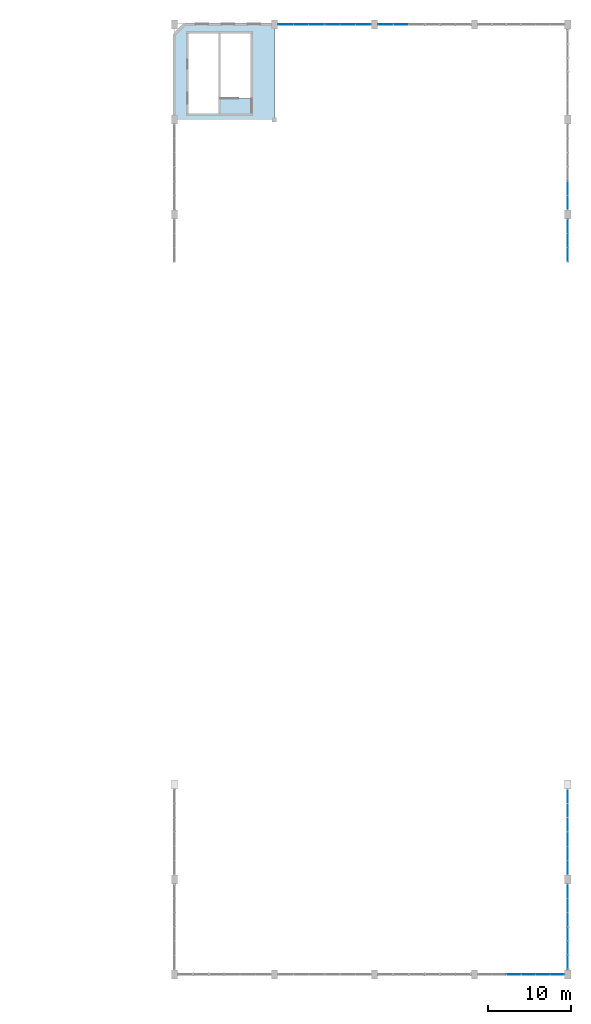
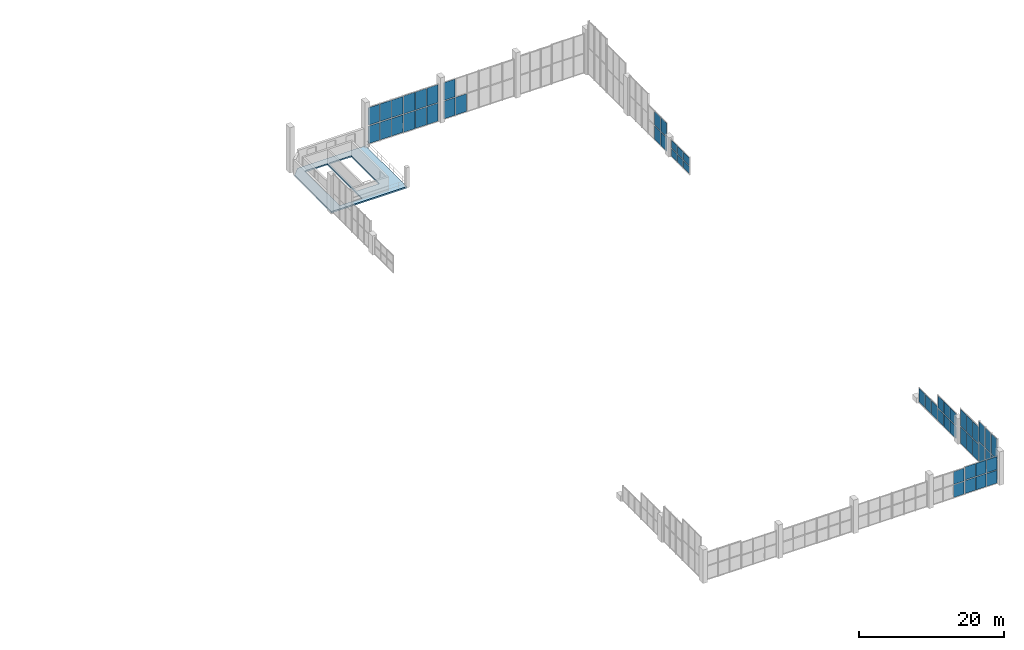
# One storey, part 21 of 28: 54 plates, 1 slab, 11 elements without a shape of their own.
"""IFC4 building model written with IfcOpenShell, lengths in metres."""

from ifc_helpers import new_model, si_unit, direction, frame, origin, origin_2d, place, context, subcontext, project, spatial, polyline, rectangle, outline, extrude, material, layer, layer_set, type_object, element, aggregate, save


model = new_model("IFC4")

# Units and contexts
model_context = context("Model", 3, precision=1e-05, world=origin(), true_north=direction((0.0, 1.0)))
body_context = subcontext(model_context, "Body", "Model", "MODEL_VIEW")
ifc_project = project(units=[si_unit("LENGTHUNIT", "METRE"), si_unit("AREAUNIT", "SQUARE_METRE"), si_unit("VOLUMEUNIT", "CUBIC_METRE"), si_unit("PLANEANGLEUNIT", "RADIAN"), si_unit("MASSUNIT", "GRAM", prefix="KILO"), si_unit("POWERUNIT", "WATT"), si_unit("THERMODYNAMICTEMPERATUREUNIT", "KELVIN")], contexts=[model_context])

# Site, building, storey
site_placement = place(None, origin())
site = spatial("IfcSite", under=ifc_project, at=site_placement, CompositionType="ELEMENT")
building_placement = place(site_placement, origin())
building = spatial("IfcBuilding", under=site, at=building_placement, Name="Kelmbourne Parkland Aquatics Centre", CompositionType="ELEMENT")
storey_placement = place(building_placement, frame((0.0, 0.0, 19.199951171875)))
storey = spatial("IfcBuildingStorey", under=building, at=storey_placement, Name="L04", CompositionType="ELEMENT", Elevation=19.199951171875)

# Curtain wall, plates
ifc_material_1 = material(Name="Thermally broken anodised aluminium framing", Category="aluminium")
ifc_layer_1 = layer(ifc_material_1, 0.179931640625)
ifc_layer_set_1 = layer_set([ifc_layer_1], Name="Thermally broken anodised aluminium framing")
curtain_wall_type_1 = type_object("IfcCurtainWallType", Name="CW-04", PredefinedType="NOTDEFINED", material=ifc_layer_set_1)
curtain_wall_1_placement = place(storey_placement, origin())
curtain_wall_1 = element("IfcCurtainWall", 1, at=curtain_wall_1_placement, inside=storey, type_object=curtain_wall_type_1, Name="Wave-hall clerestory curtain wall CW-L04-004", PredefinedType="NOTDEFINED")
ifc_material_2 = material(Name="Double-glazed low-e laminated safety glass", Category="glass")
ifc_layer_2 = layer(ifc_material_2, 0.0419921875)
ifc_layer_set_2 = layer_set([ifc_layer_2], Name="Double-glazed low-e laminated safety glass")
plate_type_1 = type_object("IfcPlateType", Name="PL-CLR-1", PredefinedType="USERDEFINED", material=ifc_layer_set_2)
plate_1_placement = place(storey_placement, frame((175.199951171875, 2.2451171875, 3.60791015625), z_axis=(0.0, 0.0, 1.0), x_axis=(0.0, 1.0, 0.0)))
plate_1 = element("IfcPlate", 2, at=plate_1_placement, type_object=plate_type_1, Name="CW-L04-004 clerestory glazing 1-0", ObjectType="CLERESTORY GLAZING", PredefinedType="USERDEFINED", context=body_context, shape_type="SweptSolid", body=[
    extrude(rectangle(XDim=1.587890625, YDim=0.0419921875, at=origin_2d()), origin(), (0.0, 0.0, 1.0), 3.322998046875),
])
plate_2_placement = place(storey_placement, frame((175.199951171875, 3.926025390625, 3.60791015625), z_axis=(0.0, 0.0, 1.0), x_axis=(0.0, 1.0, 0.0)))
plate_2 = element("IfcPlate", 3, at=plate_2_placement, type_object=plate_type_1, Name="CW-L04-004 clerestory glazing 1-1", ObjectType="CLERESTORY GLAZING", PredefinedType="USERDEFINED", context=body_context, shape_type="SweptSolid", body=[
    extrude(rectangle(XDim=1.587890625, YDim=0.0419921875, at=origin_2d()), origin(), (0.0, 0.0, 1.0), 3.322998046875),
])
plate_3_placement = place(storey_placement, frame((175.199951171875, 5.60693359375, 3.60791015625), z_axis=(0.0, 0.0, 1.0), x_axis=(0.0, 1.0, 0.0)))
plate_3 = element("IfcPlate", 4, at=plate_3_placement, type_object=plate_type_1, Name="CW-L04-004 clerestory glazing 1-2", ObjectType="CLERESTORY GLAZING", PredefinedType="USERDEFINED", context=body_context, shape_type="SweptSolid", body=[
    extrude(rectangle(XDim=1.587890625, YDim=0.0419921875, at=origin_2d()), origin(), (0.0, 0.0, 1.0), 3.322998046875),
])

ifc_layer_3 = layer(ifc_material_1, 0.179931640625)
ifc_layer_set_3 = layer_set([ifc_layer_3], Name="Thermally broken anodised aluminium framing")
curtain_wall_type_2 = type_object("IfcCurtainWallType", Name="CW-11", PredefinedType="NOTDEFINED", material=ifc_layer_set_3)
curtain_wall_2_placement = place(storey_placement, origin())
curtain_wall_2 = element("IfcCurtainWall", 5, at=curtain_wall_2_placement, inside=storey, type_object=curtain_wall_type_2, Name="Wave-hall clerestory curtain wall CW-L04-011", PredefinedType="NOTDEFINED")
plate_4_placement = place(storey_placement, frame((175.199951171875, 7.383056640625, 3.128662109375), z_axis=(0.0, 0.0, 1.0), x_axis=(0.0, 1.0, 0.0)))
plate_4 = element("IfcPlate", 6, at=plate_4_placement, type_object=plate_type_1, Name="CW-L04-011 clerestory glazing 1-0", ObjectType="CLERESTORY GLAZING", PredefinedType="USERDEFINED", context=body_context, shape_type="SweptSolid", body=[
    extrude(rectangle(XDim=1.6279296875, YDim=0.0419921875, at=origin_2d()), origin(), (0.0, 0.0, 1.0), 2.78369140625),
])
plate_5_placement = place(storey_placement, frame((175.199951171875, 9.073974609375, 3.128662109375), z_axis=(0.0, 0.0, 1.0), x_axis=(0.0, 1.0, 0.0)))
plate_5 = element("IfcPlate", 7, at=plate_5_placement, type_object=plate_type_1, Name="CW-L04-011 clerestory glazing 1-1", ObjectType="CLERESTORY GLAZING", PredefinedType="USERDEFINED", context=body_context, shape_type="SweptSolid", body=[
    extrude(rectangle(XDim=1.6279296875, YDim=0.0419921875, at=origin_2d()), origin(), (0.0, 0.0, 1.0), 2.78369140625),
])
plate_6_placement = place(storey_placement, frame((175.199951171875, 10.764892578125, 3.128662109375), z_axis=(0.0, 0.0, 1.0), x_axis=(0.0, 1.0, 0.0)))
plate_6 = element("IfcPlate", 8, at=plate_6_placement, type_object=plate_type_1, Name="CW-L04-011 clerestory glazing 1-2", ObjectType="CLERESTORY GLAZING", PredefinedType="USERDEFINED", context=body_context, shape_type="SweptSolid", body=[
    extrude(rectangle(XDim=1.6279296875, YDim=0.0419921875, at=origin_2d()), origin(), (0.0, 0.0, 1.0), 2.78369140625),
])

ifc_layer_4 = layer(ifc_material_1, 0.179931640625)
ifc_layer_set_4 = layer_set([ifc_layer_4], Name="Thermally broken anodised aluminium framing")
curtain_wall_type_3 = type_object("IfcCurtainWallType", Name="CW-20", PredefinedType="NOTDEFINED", material=ifc_layer_set_4)
curtain_wall_3_placement = place(storey_placement, origin())
curtain_wall_3 = element("IfcCurtainWall", 9, at=curtain_wall_3_placement, inside=storey, type_object=curtain_wall_type_3, Name="Wave-hall clerestory curtain wall CW-L04-020", PredefinedType="NOTDEFINED")
plate_7_placement = place(storey_placement, frame((175.199951171875, 13.631591796875, 2.36669921875), z_axis=(0.0, 0.0, 1.0), x_axis=(0.0, 1.0, 0.0)))
plate_7 = element("IfcPlate", 10, at=plate_7_placement, type_object=plate_type_1, Name="CW-L04-020 clerestory glazing 1-0", ObjectType="CLERESTORY GLAZING", PredefinedType="USERDEFINED", context=body_context, shape_type="SweptSolid", body=[
    extrude(rectangle(XDim=1.641357421875, YDim=0.0419921875, at=origin_2d()), origin(), (0.0, 0.0, 1.0), 2.021728515625),
])
plate_8_placement = place(storey_placement, frame((175.199951171875, 15.325927734375, 2.36669921875), z_axis=(0.0, 0.0, 1.0), x_axis=(0.0, 1.0, 0.0)))
plate_8 = element("IfcPlate", 11, at=plate_8_placement, type_object=plate_type_1, Name="CW-L04-020 clerestory glazing 1-1", ObjectType="CLERESTORY GLAZING", PredefinedType="USERDEFINED", context=body_context, shape_type="SweptSolid", body=[
    extrude(rectangle(XDim=1.641357421875, YDim=0.0419921875, at=origin_2d()), origin(), (0.0, 0.0, 1.0), 2.021728515625),
])
plate_9_placement = place(storey_placement, frame((175.199951171875, 17.0205078125, 2.36669921875), z_axis=(0.0, 0.0, 1.0), x_axis=(0.0, 1.0, 0.0)))
plate_9 = element("IfcPlate", 12, at=plate_9_placement, type_object=plate_type_1, Name="CW-L04-020 clerestory glazing 1-2", ObjectType="CLERESTORY GLAZING", PredefinedType="USERDEFINED", context=body_context, shape_type="SweptSolid", body=[
    extrude(rectangle(XDim=1.641357421875, YDim=0.0419921875, at=origin_2d()), origin(), (0.0, 0.0, 1.0), 2.021728515625),
])

ifc_layer_5 = layer(ifc_material_1, 0.179931640625)
ifc_layer_set_5 = layer_set([ifc_layer_5], Name="Thermally broken anodised aluminium framing")
curtain_wall_type_4 = type_object("IfcCurtainWallType", Name="CW-02", PredefinedType="NOTDEFINED", material=ifc_layer_set_5)
curtain_wall_4_placement = place(storey_placement, origin())
curtain_wall_4 = element("IfcCurtainWall", 13, at=curtain_wall_4_placement, inside=storey, type_object=curtain_wall_type_4, Name="Wave-hall clerestory curtain wall CW-L04-026", PredefinedType="NOTDEFINED")
plate_10_placement = place(storey_placement, frame((175.199951171875, 18.782958984375, 0.17724609375), z_axis=(0.0, 0.0, 1.0), x_axis=(0.0, 1.0, 0.0)))
plate_10 = element("IfcPlate", 14, at=plate_10_placement, type_object=plate_type_1, Name="CW-L04-026 clerestory glazing 0-0", ObjectType="CLERESTORY GLAZING", PredefinedType="USERDEFINED", context=body_context, shape_type="SweptSolid", body=[
    extrude(rectangle(XDim=1.6279296875, YDim=0.0419921875, at=origin_2d()), origin(), (0.0, 0.0, 1.0), 2.323486328125),
])
plate_11_placement = place(storey_placement, frame((175.199951171875, 20.47412109375, 0.17724609375), z_axis=(0.0, 0.0, 1.0), x_axis=(0.0, 1.0, 0.0)))
plate_11 = element("IfcPlate", 15, at=plate_11_placement, type_object=plate_type_1, Name="CW-L04-026 clerestory glazing 0-1", ObjectType="CLERESTORY GLAZING", PredefinedType="USERDEFINED", context=body_context, shape_type="SweptSolid", body=[
    extrude(rectangle(XDim=1.6279296875, YDim=0.0419921875, at=origin_2d()), origin(), (0.0, 0.0, 1.0), 2.323486328125),
])
plate_12_placement = place(storey_placement, frame((175.199951171875, 22.1650390625, 0.17724609375), z_axis=(0.0, 0.0, 1.0), x_axis=(0.0, 1.0, 0.0)))
plate_12 = element("IfcPlate", 16, at=plate_12_placement, type_object=plate_type_1, Name="CW-L04-026 clerestory glazing 0-2", ObjectType="CLERESTORY GLAZING", PredefinedType="USERDEFINED", context=body_context, shape_type="SweptSolid", body=[
    extrude(rectangle(XDim=1.6279296875, YDim=0.0419921875, at=origin_2d()), origin(), (0.0, 0.0, 1.0), 2.323486328125),
])
aggregate(curtain_wall_4, [plate_10, plate_11, plate_12])

ifc_layer_6 = layer(ifc_material_1, 0.179931640625)
ifc_layer_set_6 = layer_set([ifc_layer_6], Name="Thermally broken anodised aluminium framing")
curtain_wall_type_5 = type_object("IfcCurtainWallType", Name="CW-05", PredefinedType="NOTDEFINED", material=ifc_layer_set_6)
curtain_wall_5_placement = place(storey_placement, origin())
curtain_wall_5 = element("IfcCurtainWall", 17, at=curtain_wall_5_placement, inside=storey, type_object=curtain_wall_type_5, Name="Wave-hall clerestory curtain wall CW-L04-077", PredefinedType="NOTDEFINED")
plate_13_placement = place(storey_placement, frame((175.199951171875, 87.186279296875, 1.591796875), z_axis=(0.0, 0.0, 1.0), x_axis=(0.0, 1.0, 0.0)))
plate_13 = element("IfcPlate", 18, at=plate_13_placement, type_object=plate_type_1, Name="CW-L04-077 clerestory glazing 1-0", ObjectType="CLERESTORY GLAZING", PredefinedType="USERDEFINED", context=body_context, shape_type="SweptSolid", body=[
    extrude(rectangle(XDim=1.61474609375, YDim=0.0419921875, at=origin_2d()), origin(), (0.0, 0.0, 1.0), 1.246826171875),
])
plate_14_placement = place(storey_placement, frame((175.199951171875, 88.8740234375, 1.591796875), z_axis=(0.0, 0.0, 1.0), x_axis=(0.0, 1.0, 0.0)))
plate_14 = element("IfcPlate", 19, at=plate_14_placement, type_object=plate_type_1, Name="CW-L04-077 clerestory glazing 1-1", ObjectType="CLERESTORY GLAZING", PredefinedType="USERDEFINED", context=body_context, shape_type="SweptSolid", body=[
    extrude(rectangle(XDim=1.614501953125, YDim=0.0419921875, at=origin_2d()), origin(), (0.0, 0.0, 1.0), 1.246826171875),
])
plate_15_placement = place(storey_placement, frame((175.199951171875, 90.561767578125, 1.591796875), z_axis=(0.0, 0.0, 1.0), x_axis=(0.0, 1.0, 0.0)))
plate_15 = element("IfcPlate", 20, at=plate_15_placement, type_object=plate_type_1, Name="CW-L04-077 clerestory glazing 1-2", ObjectType="CLERESTORY GLAZING", PredefinedType="USERDEFINED", context=body_context, shape_type="SweptSolid", body=[
    extrude(rectangle(XDim=1.61474609375, YDim=0.0419921875, at=origin_2d()), origin(), (0.0, 0.0, 1.0), 1.246826171875),
])

ifc_layer_7 = layer(ifc_material_1, 0.179931640625)
ifc_layer_set_7 = layer_set([ifc_layer_7], Name="Thermally broken anodised aluminium framing")
curtain_wall_type_6 = type_object("IfcCurtainWallType", Name="CW-14", PredefinedType="NOTDEFINED", material=ifc_layer_set_7)
curtain_wall_6_placement = place(storey_placement, origin())
curtain_wall_6 = element("IfcCurtainWall", 21, at=curtain_wall_6_placement, inside=storey, type_object=curtain_wall_type_6, Name="Wave-hall clerestory curtain wall CW-L04-086", PredefinedType="NOTDEFINED")
plate_16_placement = place(storey_placement, frame((175.199951171875, 93.43505859375, 2.6025390625), z_axis=(0.0, 0.0, 1.0), x_axis=(0.0, 1.0, 0.0)))
plate_16 = element("IfcPlate", 22, at=plate_16_placement, type_object=plate_type_1, Name="CW-L04-086 clerestory glazing 1-0", ObjectType="CLERESTORY GLAZING", PredefinedType="USERDEFINED", context=body_context, shape_type="SweptSolid", body=[
    extrude(rectangle(XDim=1.6279296875, YDim=0.0419921875, at=origin_2d()), origin(), (0.0, 0.0, 1.0), 2.257568359375),
])
plate_17_placement = place(storey_placement, frame((175.199951171875, 95.1259765625, 2.6025390625), z_axis=(0.0, 0.0, 1.0), x_axis=(0.0, 1.0, 0.0)))
plate_17 = element("IfcPlate", 23, at=plate_17_placement, type_object=plate_type_1, Name="CW-L04-086 clerestory glazing 1-1", ObjectType="CLERESTORY GLAZING", PredefinedType="USERDEFINED", context=body_context, shape_type="SweptSolid", body=[
    extrude(rectangle(XDim=1.6279296875, YDim=0.0419921875, at=origin_2d()), origin(), (0.0, 0.0, 1.0), 2.257568359375),
])

# Curtain wall, plate
ifc_layer_8 = layer(ifc_material_1, 0.179931640625)
ifc_layer_set_8 = layer_set([ifc_layer_8], Name="Thermally broken anodised aluminium framing")
curtain_wall_type_7 = type_object("IfcCurtainWallType", Name="CW-15", PredefinedType="NOTDEFINED", material=ifc_layer_set_8)
curtain_wall_7_placement = place(storey_placement, origin())
curtain_wall_7 = element("IfcCurtainWall", 24, at=curtain_wall_7_placement, inside=storey, type_object=curtain_wall_type_7, Name="Wave-hall clerestory curtain wall CW-L04-135", PredefinedType="NOTDEFINED")
plate_18_placement = place(storey_placement, frame((168.7080078125, 0.800048828125, 2.3486328125), z_axis=(0.0, 0.0, 1.0), x_axis=(1.0, 0.0, 0.0)))
plate_18 = element("IfcPlate", 25, at=plate_18_placement, type_object=plate_type_1, Name="CW-L04-135 clerestory glazing 1-2", ObjectType="CLERESTORY GLAZING", PredefinedType="USERDEFINED", context=body_context, shape_type="SweptSolid", body=[
    extrude(rectangle(XDim=1.666259765625, YDim=0.0419921875, at=origin_2d()), origin(), (0.0, 0.0, 1.0), 2.123779296875),
])

# Curtain wall, plates
ifc_layer_9 = layer(ifc_material_1, 0.179931640625)
ifc_layer_set_9 = layer_set([ifc_layer_9], Name="Thermally broken anodised aluminium framing")
curtain_wall_type_8 = type_object("IfcCurtainWallType", Name="CW-16", PredefinedType="NOTDEFINED", material=ifc_layer_set_9)
curtain_wall_8_placement = place(storey_placement, origin())
curtain_wall_8 = element("IfcCurtainWall", 26, at=curtain_wall_8_placement, inside=storey, type_object=curtain_wall_type_8, Name="Wave-hall clerestory curtain wall CW-L04-136", PredefinedType="NOTDEFINED")
plate_19_placement = place(storey_placement, frame((170.49560546875, 0.800048828125, 2.4462890625), z_axis=(0.0, 0.0, 1.0), x_axis=(1.0, 0.0, 0.0)))
plate_19 = element("IfcPlate", 27, at=plate_19_placement, type_object=plate_type_1, Name="CW-L04-136 clerestory glazing 1-0", ObjectType="CLERESTORY GLAZING", PredefinedType="USERDEFINED", context=body_context, shape_type="SweptSolid", body=[
    extrude(rectangle(XDim=1.653076171875, YDim=0.0419921875, at=origin_2d()), origin(), (0.0, 0.0, 1.0), 2.161376953125),
])
plate_20_placement = place(storey_placement, frame((172.21142578125, 0.800048828125, 2.4462890625), z_axis=(0.0, 0.0, 1.0), x_axis=(1.0, 0.0, 0.0)))
plate_20 = element("IfcPlate", 28, at=plate_20_placement, type_object=plate_type_1, Name="CW-L04-136 clerestory glazing 1-1", ObjectType="CLERESTORY GLAZING", PredefinedType="USERDEFINED", context=body_context, shape_type="SweptSolid", body=[
    extrude(rectangle(XDim=1.653076171875, YDim=0.0419921875, at=origin_2d()), origin(), (0.0, 0.0, 1.0), 2.161376953125),
])
plate_21_placement = place(storey_placement, frame((173.927490234375, 0.800048828125, 2.4462890625), z_axis=(0.0, 0.0, 1.0), x_axis=(1.0, 0.0, 0.0)))
plate_21 = element("IfcPlate", 29, at=plate_21_placement, type_object=plate_type_1, Name="CW-L04-136 clerestory glazing 1-2", ObjectType="CLERESTORY GLAZING", PredefinedType="USERDEFINED", context=body_context, shape_type="SweptSolid", body=[
    extrude(rectangle(XDim=1.653076171875, YDim=0.0419921875, at=origin_2d()), origin(), (0.0, 0.0, 1.0), 2.161376953125),
])

curtain_wall_9_placement = place(storey_placement, origin())
curtain_wall_9 = element("IfcCurtainWall", 30, at=curtain_wall_9_placement, inside=storey, type_object=curtain_wall_type_2, Name="Wave-hall clerestory curtain wall CW-L04-155", PredefinedType="NOTDEFINED")
plate_22_placement = place(storey_placement, frame((141.3359375, 114.800048828125, 3.2841796875), z_axis=(0.0, 0.0, 1.0), x_axis=(1.0, 0.0, 0.0)))
plate_22 = element("IfcPlate", 31, at=plate_22_placement, type_object=plate_type_1, Name="CW-L04-155 clerestory glazing 1-0", ObjectType="CLERESTORY GLAZING", PredefinedType="USERDEFINED", context=body_context, shape_type="SweptSolid", body=[
    extrude(rectangle(XDim=1.7998046875, YDim=0.0419921875, at=origin_2d()), origin(), (0.0, 0.0, 1.0), 2.939208984375),
])
plate_23_placement = place(storey_placement, frame((143.1884765625, 114.800048828125, 3.2841796875), z_axis=(0.0, 0.0, 1.0), x_axis=(1.0, 0.0, 0.0)))
plate_23 = element("IfcPlate", 32, at=plate_23_placement, type_object=plate_type_1, Name="CW-L04-155 clerestory glazing 1-1", ObjectType="CLERESTORY GLAZING", PredefinedType="USERDEFINED", context=body_context, shape_type="SweptSolid", body=[
    extrude(rectangle(XDim=1.799560546875, YDim=0.0419921875, at=origin_2d()), origin(), (0.0, 0.0, 1.0), 2.939208984375),
])
plate_24_placement = place(storey_placement, frame((145.041259765625, 114.800048828125, 3.2841796875), z_axis=(0.0, 0.0, 1.0), x_axis=(1.0, 0.0, 0.0)))
plate_24 = element("IfcPlate", 33, at=plate_24_placement, type_object=plate_type_1, Name="CW-L04-155 clerestory glazing 1-2", ObjectType="CLERESTORY GLAZING", PredefinedType="USERDEFINED", context=body_context, shape_type="SweptSolid", body=[
    extrude(rectangle(XDim=1.7998046875, YDim=0.0419921875, at=origin_2d()), origin(), (0.0, 0.0, 1.0), 2.939208984375),
])

ifc_layer_10 = layer(ifc_material_1, 0.179931640625)
ifc_layer_set_10 = layer_set([ifc_layer_10], Name="Thermally broken anodised aluminium framing")
curtain_wall_type_9 = type_object("IfcCurtainWallType", Name="CW-12", PredefinedType="NOTDEFINED", material=ifc_layer_set_10)
curtain_wall_10_placement = place(storey_placement, origin())
curtain_wall_10 = element("IfcCurtainWall", 34, at=curtain_wall_10_placement, inside=storey, type_object=curtain_wall_type_9, Name="Wave-hall clerestory curtain wall CW-L04-156", PredefinedType="NOTDEFINED")
plate_25_placement = place(storey_placement, frame((146.962158203125, 114.800048828125, 3.24267578125), z_axis=(0.0, 0.0, 1.0), x_axis=(1.0, 0.0, 0.0)))
plate_25 = element("IfcPlate", 35, at=plate_25_placement, type_object=plate_type_1, Name="CW-L04-156 clerestory glazing 1-0", ObjectType="CLERESTORY GLAZING", PredefinedType="USERDEFINED", context=body_context, shape_type="SweptSolid", body=[
    extrude(rectangle(XDim=1.786376953125, YDim=0.0419921875, at=origin_2d()), origin(), (0.0, 0.0, 1.0), 3.017578125),
])
plate_26_placement = place(storey_placement, frame((148.8115234375, 114.800048828125, 3.24267578125), z_axis=(0.0, 0.0, 1.0), x_axis=(1.0, 0.0, 0.0)))
plate_26 = element("IfcPlate", 36, at=plate_26_placement, type_object=plate_type_1, Name="CW-L04-156 clerestory glazing 1-1", ObjectType="CLERESTORY GLAZING", PredefinedType="USERDEFINED", context=body_context, shape_type="SweptSolid", body=[
    extrude(rectangle(XDim=1.786376953125, YDim=0.0419921875, at=origin_2d()), origin(), (0.0, 0.0, 1.0), 3.017578125),
])
plate_27_placement = place(storey_placement, frame((150.660888671875, 114.800048828125, 3.24267578125), z_axis=(0.0, 0.0, 1.0), x_axis=(1.0, 0.0, 0.0)))
plate_27 = element("IfcPlate", 37, at=plate_27_placement, type_object=plate_type_1, Name="CW-L04-156 clerestory glazing 1-2", ObjectType="CLERESTORY GLAZING", PredefinedType="USERDEFINED", context=body_context, shape_type="SweptSolid", body=[
    extrude(rectangle(XDim=1.786376953125, YDim=0.0419921875, at=origin_2d()), origin(), (0.0, 0.0, 1.0), 3.017578125),
])

# Curtain wall, plate
ifc_layer_11 = layer(ifc_material_1, 0.179931640625)
ifc_layer_set_11 = layer_set([ifc_layer_11], Name="Thermally broken anodised aluminium framing")
curtain_wall_type_10 = type_object("IfcCurtainWallType", Name="CW-13", PredefinedType="NOTDEFINED", material=ifc_layer_set_11)
curtain_wall_11_placement = place(storey_placement, origin())
curtain_wall_11 = element("IfcCurtainWall", 38, at=curtain_wall_11_placement, inside=storey, type_object=curtain_wall_type_10, Name="Wave-hall clerestory curtain wall CW-L04-157", PredefinedType="NOTDEFINED")
plate_28_placement = place(storey_placement, frame((153.342529296875, 114.800048828125, 3.2578125), z_axis=(0.0, 0.0, 1.0), x_axis=(1.0, 0.0, 0.0)))
plate_28 = element("IfcPlate", 39, at=plate_28_placement, type_object=plate_type_1, Name="CW-L04-157 clerestory glazing 1-0", ObjectType="CLERESTORY GLAZING", PredefinedType="USERDEFINED", context=body_context, shape_type="SweptSolid", body=[
    extrude(rectangle(XDim=1.77294921875, YDim=0.0419921875, at=origin_2d()), origin(), (0.0, 0.0, 1.0), 2.972412109375),
])

# Plate
ifc_layer_12 = layer(ifc_material_2, 0.02392578125)
ifc_layer_set_12 = layer_set([ifc_layer_12], Name="Double-glazed low-e laminated safety glass")
plate_type_2 = type_object("IfcPlateType", Name="PL-CWP-1", PredefinedType="CURTAIN_PANEL", material=ifc_layer_set_12)
plate_29_placement = place(storey_placement, frame((168.7080078125, 0.800048828125, 0.1171875), z_axis=(0.0, 0.0, 1.0), x_axis=(1.0, 0.0, 0.0)))
plate_29 = element("IfcPlate", 40, at=plate_29_placement, type_object=plate_type_2, Name="CW-L04-135 vision glazing 0-2", PredefinedType="CURTAIN_PANEL", context=body_context, shape_type="SweptSolid", body=[
    extrude(rectangle(XDim=1.666259765625, YDim=0.02392578125, at=origin_2d()), origin(), (0.0, 0.0, 1.0), 2.123779296875),
])

aggregate(curtain_wall_7, [plate_29, plate_18])

plate_30_placement = place(storey_placement, frame((146.962158203125, 114.800048828125, 0.116943359375), z_axis=(0.0, 0.0, 1.0), x_axis=(1.0, 0.0, 0.0)))
plate_30 = element("IfcPlate", 41, at=plate_30_placement, type_object=plate_type_2, Name="CW-L04-156 vision glazing 0-0", PredefinedType="CURTAIN_PANEL", context=body_context, shape_type="SweptSolid", body=[
    extrude(rectangle(XDim=1.786376953125, YDim=0.02392578125, at=origin_2d()), origin(), (0.0, 0.0, 1.0), 3.017578125),
])

plate_31_placement = place(storey_placement, frame((148.8115234375, 114.800048828125, 0.116943359375), z_axis=(0.0, 0.0, 1.0), x_axis=(1.0, 0.0, 0.0)))
plate_31 = element("IfcPlate", 42, at=plate_31_placement, type_object=plate_type_2, Name="CW-L04-156 vision glazing 0-1", PredefinedType="CURTAIN_PANEL", context=body_context, shape_type="SweptSolid", body=[
    extrude(rectangle(XDim=1.786376953125, YDim=0.02392578125, at=origin_2d()), origin(), (0.0, 0.0, 1.0), 3.017578125),
])

plate_32_placement = place(storey_placement, frame((150.660888671875, 114.800048828125, 0.116943359375), z_axis=(0.0, 0.0, 1.0), x_axis=(1.0, 0.0, 0.0)))
plate_32 = element("IfcPlate", 43, at=plate_32_placement, type_object=plate_type_2, Name="CW-L04-156 vision glazing 0-2", PredefinedType="CURTAIN_PANEL", context=body_context, shape_type="SweptSolid", body=[
    extrude(rectangle(XDim=1.786376953125, YDim=0.02392578125, at=origin_2d()), origin(), (0.0, 0.0, 1.0), 3.017578125),
])

aggregate(curtain_wall_10, [plate_30, plate_31, plate_32, plate_25, plate_26, plate_27])

ifc_layer_13 = layer(ifc_material_2, 0.035888671875)
ifc_layer_set_13 = layer_set([ifc_layer_13], Name="Double-glazed low-e laminated safety glass")
plate_type_3 = type_object("IfcPlateType", Name="PL-CWP-2", PredefinedType="CURTAIN_PANEL", material=ifc_layer_set_13)
plate_33_placement = place(storey_placement, frame((175.199951171875, 2.2451171875, 0.14697265625), z_axis=(0.0, 0.0, 1.0), x_axis=(0.0, 1.0, 0.0)))
plate_33 = element("IfcPlate", 44, at=plate_33_placement, type_object=plate_type_3, Name="CW-L04-004 vision glazing 0-0", PredefinedType="CURTAIN_PANEL", context=body_context, shape_type="SweptSolid", body=[
    extrude(rectangle(XDim=1.587890625, YDim=0.035888671875, at=origin_2d()), origin(), (0.0, 0.0, 1.0), 3.32275390625),
])

plate_34_placement = place(storey_placement, frame((175.199951171875, 3.926025390625, 0.14697265625), z_axis=(0.0, 0.0, 1.0), x_axis=(0.0, 1.0, 0.0)))
plate_34 = element("IfcPlate", 45, at=plate_34_placement, type_object=plate_type_3, Name="CW-L04-004 vision glazing 0-1", PredefinedType="CURTAIN_PANEL", context=body_context, shape_type="SweptSolid", body=[
    extrude(rectangle(XDim=1.587890625, YDim=0.035888671875, at=origin_2d()), origin(), (0.0, 0.0, 1.0), 3.32275390625),
])

plate_35_placement = place(storey_placement, frame((175.199951171875, 5.60693359375, 0.14697265625), z_axis=(0.0, 0.0, 1.0), x_axis=(0.0, 1.0, 0.0)))
plate_35 = element("IfcPlate", 46, at=plate_35_placement, type_object=plate_type_3, Name="CW-L04-004 vision glazing 0-2", PredefinedType="CURTAIN_PANEL", context=body_context, shape_type="SweptSolid", body=[
    extrude(rectangle(XDim=1.587890625, YDim=0.035888671875, at=origin_2d()), origin(), (0.0, 0.0, 1.0), 3.32275390625),
])

aggregate(curtain_wall_1, [plate_33, plate_34, plate_35, plate_1, plate_2, plate_3])

plate_36_placement = place(storey_placement, frame((170.49560546875, 0.800048828125, 0.14697265625), z_axis=(0.0, 0.0, 1.0), x_axis=(1.0, 0.0, 0.0)))
plate_36 = element("IfcPlate", 47, at=plate_36_placement, type_object=plate_type_3, Name="CW-L04-136 vision glazing 0-0", PredefinedType="CURTAIN_PANEL", context=body_context, shape_type="SweptSolid", body=[
    extrude(rectangle(XDim=1.653076171875, YDim=0.035888671875, at=origin_2d()), origin(), (0.0, 0.0, 1.0), 2.161376953125),
])

plate_37_placement = place(storey_placement, frame((172.21142578125, 0.800048828125, 0.14697265625), z_axis=(0.0, 0.0, 1.0), x_axis=(1.0, 0.0, 0.0)))
plate_37 = element("IfcPlate", 48, at=plate_37_placement, type_object=plate_type_3, Name="CW-L04-136 vision glazing 0-1", PredefinedType="CURTAIN_PANEL", context=body_context, shape_type="SweptSolid", body=[
    extrude(rectangle(XDim=1.653076171875, YDim=0.035888671875, at=origin_2d()), origin(), (0.0, 0.0, 1.0), 2.161376953125),
])

plate_38_placement = place(storey_placement, frame((173.927490234375, 0.800048828125, 0.14697265625), z_axis=(0.0, 0.0, 1.0), x_axis=(1.0, 0.0, 0.0)))
plate_38 = element("IfcPlate", 49, at=plate_38_placement, type_object=plate_type_3, Name="CW-L04-136 vision glazing 0-2", PredefinedType="CURTAIN_PANEL", context=body_context, shape_type="SweptSolid", body=[
    extrude(rectangle(XDim=1.653076171875, YDim=0.035888671875, at=origin_2d()), origin(), (0.0, 0.0, 1.0), 2.161376953125),
])

aggregate(curtain_wall_8, [plate_36, plate_37, plate_38, plate_19, plate_20, plate_21])

plate_39_placement = place(storey_placement, frame((153.342529296875, 114.800048828125, 0.14697265625), z_axis=(0.0, 0.0, 1.0), x_axis=(1.0, 0.0, 0.0)))
plate_39 = element("IfcPlate", 50, at=plate_39_placement, type_object=plate_type_3, Name="CW-L04-157 vision glazing 0-0", PredefinedType="CURTAIN_PANEL", context=body_context, shape_type="SweptSolid", body=[
    extrude(rectangle(XDim=1.77294921875, YDim=0.035888671875, at=origin_2d()), origin(), (0.0, 0.0, 1.0), 2.972412109375),
])

plate_40_placement = place(storey_placement, frame((155.1884765625, 114.800048828125, 0.14697265625), z_axis=(0.0, 0.0, 1.0), x_axis=(1.0, 0.0, 0.0)))
plate_40 = element("IfcPlate", 51, at=plate_40_placement, type_object=plate_type_3, Name="CW-L04-157 vision glazing 0-1", PredefinedType="CURTAIN_PANEL", context=body_context, shape_type="SweptSolid", body=[
    extrude(rectangle(XDim=1.77294921875, YDim=0.035888671875, at=origin_2d()), origin(), (0.0, 0.0, 1.0), 2.972412109375),
])

aggregate(curtain_wall_11, [plate_39, plate_40, plate_28])

ifc_layer_14 = layer(ifc_material_2, 0.048095703125)
ifc_layer_set_14 = layer_set([ifc_layer_14], Name="Double-glazed low-e laminated safety glass")
plate_type_4 = type_object("IfcPlateType", Name="PL-CWP-3", PredefinedType="CURTAIN_PANEL", material=ifc_layer_set_14)
plate_41_placement = place(storey_placement, frame((175.199951171875, 7.383056640625, 0.177001953125), z_axis=(0.0, 0.0, 1.0), x_axis=(0.0, 1.0, 0.0)))
plate_41 = element("IfcPlate", 52, at=plate_41_placement, type_object=plate_type_4, Name="CW-L04-011 vision glazing 0-0", PredefinedType="CURTAIN_PANEL", context=body_context, shape_type="SweptSolid", body=[
    extrude(rectangle(XDim=1.6279296875, YDim=0.048095703125, at=origin_2d()), origin(), (0.0, 0.0, 1.0), 2.78369140625),
])

plate_42_placement = place(storey_placement, frame((175.199951171875, 9.073974609375, 0.177001953125), z_axis=(0.0, 0.0, 1.0), x_axis=(0.0, 1.0, 0.0)))
plate_42 = element("IfcPlate", 53, at=plate_42_placement, type_object=plate_type_4, Name="CW-L04-011 vision glazing 0-1", PredefinedType="CURTAIN_PANEL", context=body_context, shape_type="SweptSolid", body=[
    extrude(rectangle(XDim=1.6279296875, YDim=0.048095703125, at=origin_2d()), origin(), (0.0, 0.0, 1.0), 2.78369140625),
])

plate_43_placement = place(storey_placement, frame((175.199951171875, 10.764892578125, 0.177001953125), z_axis=(0.0, 0.0, 1.0), x_axis=(0.0, 1.0, 0.0)))
plate_43 = element("IfcPlate", 54, at=plate_43_placement, type_object=plate_type_4, Name="CW-L04-011 vision glazing 0-2", PredefinedType="CURTAIN_PANEL", context=body_context, shape_type="SweptSolid", body=[
    extrude(rectangle(XDim=1.6279296875, YDim=0.048095703125, at=origin_2d()), origin(), (0.0, 0.0, 1.0), 2.78369140625),
])

aggregate(curtain_wall_2, [plate_41, plate_42, plate_43, plate_4, plate_5, plate_6])

plate_44_placement = place(storey_placement, frame((175.199951171875, 13.631591796875, 0.17724609375), z_axis=(0.0, 0.0, 1.0), x_axis=(0.0, 1.0, 0.0)))
plate_44 = element("IfcPlate", 55, at=plate_44_placement, type_object=plate_type_4, Name="CW-L04-020 vision glazing 0-0", PredefinedType="CURTAIN_PANEL", context=body_context, shape_type="SweptSolid", body=[
    extrude(rectangle(XDim=1.641357421875, YDim=0.048095703125, at=origin_2d()), origin(), (0.0, 0.0, 1.0), 2.021728515625),
])

plate_45_placement = place(storey_placement, frame((175.199951171875, 15.325927734375, 0.17724609375), z_axis=(0.0, 0.0, 1.0), x_axis=(0.0, 1.0, 0.0)))
plate_45 = element("IfcPlate", 56, at=plate_45_placement, type_object=plate_type_4, Name="CW-L04-020 vision glazing 0-1", PredefinedType="CURTAIN_PANEL", context=body_context, shape_type="SweptSolid", body=[
    extrude(rectangle(XDim=1.641357421875, YDim=0.048095703125, at=origin_2d()), origin(), (0.0, 0.0, 1.0), 2.021728515625),
])

plate_46_placement = place(storey_placement, frame((175.199951171875, 17.0205078125, 0.17724609375), z_axis=(0.0, 0.0, 1.0), x_axis=(0.0, 1.0, 0.0)))
plate_46 = element("IfcPlate", 57, at=plate_46_placement, type_object=plate_type_4, Name="CW-L04-020 vision glazing 0-2", PredefinedType="CURTAIN_PANEL", context=body_context, shape_type="SweptSolid", body=[
    extrude(rectangle(XDim=1.641357421875, YDim=0.048095703125, at=origin_2d()), origin(), (0.0, 0.0, 1.0), 2.021728515625),
])

aggregate(curtain_wall_3, [plate_44, plate_45, plate_46, plate_7, plate_8, plate_9])

plate_47_placement = place(storey_placement, frame((175.199951171875, 87.186279296875, 0.177001953125), z_axis=(0.0, 0.0, 1.0), x_axis=(0.0, 1.0, 0.0)))
plate_47 = element("IfcPlate", 58, at=plate_47_placement, type_object=plate_type_4, Name="CW-L04-077 vision glazing 0-0", PredefinedType="CURTAIN_PANEL", context=body_context, shape_type="SweptSolid", body=[
    extrude(rectangle(XDim=1.61474609375, YDim=0.048095703125, at=origin_2d()), origin(), (0.0, 0.0, 1.0), 1.2470703125),
])

plate_48_placement = place(storey_placement, frame((175.199951171875, 88.8740234375, 0.177001953125), z_axis=(0.0, 0.0, 1.0), x_axis=(0.0, 1.0, 0.0)))
plate_48 = element("IfcPlate", 59, at=plate_48_placement, type_object=plate_type_4, Name="CW-L04-077 vision glazing 0-1", PredefinedType="CURTAIN_PANEL", context=body_context, shape_type="SweptSolid", body=[
    extrude(rectangle(XDim=1.614501953125, YDim=0.048095703125, at=origin_2d()), origin(), (0.0, 0.0, 1.0), 1.2470703125),
])

plate_49_placement = place(storey_placement, frame((175.199951171875, 90.561767578125, 0.177001953125), z_axis=(0.0, 0.0, 1.0), x_axis=(0.0, 1.0, 0.0)))
plate_49 = element("IfcPlate", 60, at=plate_49_placement, type_object=plate_type_4, Name="CW-L04-077 vision glazing 0-2", PredefinedType="CURTAIN_PANEL", context=body_context, shape_type="SweptSolid", body=[
    extrude(rectangle(XDim=1.61474609375, YDim=0.048095703125, at=origin_2d()), origin(), (0.0, 0.0, 1.0), 1.2470703125),
])

aggregate(curtain_wall_5, [plate_47, plate_48, plate_49, plate_13, plate_14, plate_15])

plate_50_placement = place(storey_placement, frame((175.199951171875, 93.43505859375, 0.17724609375), z_axis=(0.0, 0.0, 1.0), x_axis=(0.0, 1.0, 0.0)))
plate_50 = element("IfcPlate", 61, at=plate_50_placement, type_object=plate_type_4, Name="CW-L04-086 vision glazing 0-0", PredefinedType="CURTAIN_PANEL", context=body_context, shape_type="SweptSolid", body=[
    extrude(rectangle(XDim=1.6279296875, YDim=0.048095703125, at=origin_2d()), origin(), (0.0, 0.0, 1.0), 2.257568359375),
])

plate_51_placement = place(storey_placement, frame((175.199951171875, 95.1259765625, 0.17724609375), z_axis=(0.0, 0.0, 1.0), x_axis=(0.0, 1.0, 0.0)))
plate_51 = element("IfcPlate", 62, at=plate_51_placement, type_object=plate_type_4, Name="CW-L04-086 vision glazing 0-1", PredefinedType="CURTAIN_PANEL", context=body_context, shape_type="SweptSolid", body=[
    extrude(rectangle(XDim=1.6279296875, YDim=0.048095703125, at=origin_2d()), origin(), (0.0, 0.0, 1.0), 2.257568359375),
])

aggregate(curtain_wall_6, [plate_50, plate_51, plate_16, plate_17])

plate_52_placement = place(storey_placement, frame((141.3359375, 114.800048828125, 0.17724609375), z_axis=(0.0, 0.0, 1.0), x_axis=(1.0, 0.0, 0.0)))
plate_52 = element("IfcPlate", 63, at=plate_52_placement, type_object=plate_type_4, Name="CW-L04-155 vision glazing 0-0", PredefinedType="CURTAIN_PANEL", context=body_context, shape_type="SweptSolid", body=[
    extrude(rectangle(XDim=1.7998046875, YDim=0.048095703125, at=origin_2d()), origin(), (0.0, 0.0, 1.0), 2.939208984375),
])

plate_53_placement = place(storey_placement, frame((143.1884765625, 114.800048828125, 0.17724609375), z_axis=(0.0, 0.0, 1.0), x_axis=(1.0, 0.0, 0.0)))
plate_53 = element("IfcPlate", 64, at=plate_53_placement, type_object=plate_type_4, Name="CW-L04-155 vision glazing 0-1", PredefinedType="CURTAIN_PANEL", context=body_context, shape_type="SweptSolid", body=[
    extrude(rectangle(XDim=1.799560546875, YDim=0.048095703125, at=origin_2d()), origin(), (0.0, 0.0, 1.0), 2.939208984375),
])

plate_54_placement = place(storey_placement, frame((145.041259765625, 114.800048828125, 0.17724609375), z_axis=(0.0, 0.0, 1.0), x_axis=(1.0, 0.0, 0.0)))
plate_54 = element("IfcPlate", 65, at=plate_54_placement, type_object=plate_type_4, Name="CW-L04-155 vision glazing 0-2", PredefinedType="CURTAIN_PANEL", context=body_context, shape_type="SweptSolid", body=[
    extrude(rectangle(XDim=1.7998046875, YDim=0.048095703125, at=origin_2d()), origin(), (0.0, 0.0, 1.0), 2.939208984375),
])

aggregate(curtain_wall_9, [plate_52, plate_53, plate_54, plate_22, plate_23, plate_24])

# Slab
ifc_material_3 = material(Name="Concrete C40/50", Category="concrete")
ifc_layer_15 = layer(ifc_material_3, 0.239990234375)
ifc_layer_set_15 = layer_set([ifc_layer_15], Name="Concrete C40/50")
slab_type = type_object("IfcSlabType", Name="SL-F2", PredefinedType="FLOOR", material=ifc_layer_set_15)
slab_placement = place(storey_placement, frame((0.0, 0.0, -0.239990234375)))
element("IfcSlab", 66, at=slab_placement, inside=storey, type_object=slab_type, Name="Suspended floor slab SLAB-L04-V2", PredefinedType="FLOOR", context=body_context, shape_type="SweptSolid", body=[
    extrude(outline(polyline([(128.0, 103.39990234375), (140.0, 103.39990234375), (140.0, 114.800048828125), (129.199951171875, 114.800048828125), (128.0, 113.60009765625), (128.0, 103.39990234375)]), holes=[polyline([(129.699951171875, 104.10009765625), (129.699951171875, 113.699951171875), (133.27490234375, 113.699951171875), (133.27490234375, 104.10009765625), (129.699951171875, 104.10009765625)]), polyline([(133.52490234375, 105.949951171875), (133.52490234375, 113.699951171875), (137.10009765625, 113.699951171875), (137.10009765625, 105.949951171875), (133.52490234375, 105.949951171875)])]), origin(), (0.0, 0.0, 1.0), 0.239990234375),
])

save(model, "model.ifc")
